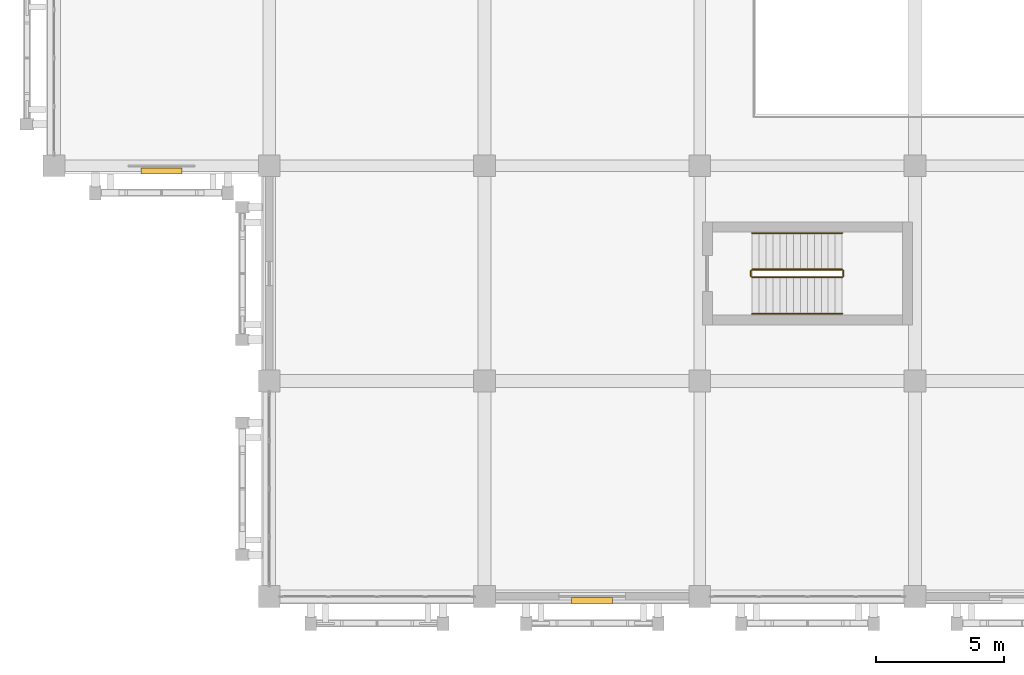
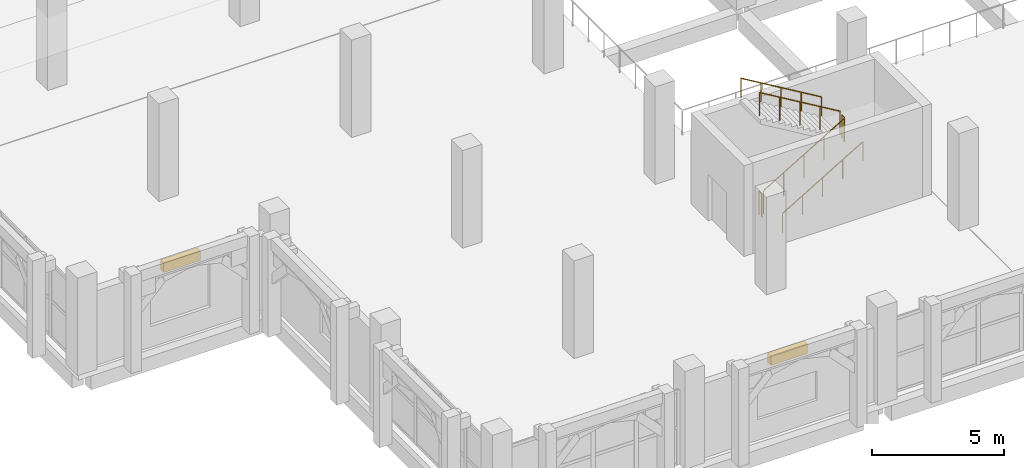
# One storey, part 124 of 137: 6 railings, 2 shading devices.
"""IFC4 building model written with IfcOpenShell, lengths in metres."""

from ifc_helpers import new_model, si_unit, direction, frame, origin, origin_2d, place, context, subcontext, project, spatial, rectangle, circle, extrude, material, layer, layer_set, type_object, element, save


model = new_model("IFC4")

# Units and contexts
model_context = context("Model", 3, precision=1e-05, world=origin(), true_north=direction((0.0, 1.0)))
body_context = subcontext(model_context, "Body", "Model", "MODEL_VIEW")
ifc_project = project(units=[si_unit("LENGTHUNIT", "METRE"), si_unit("AREAUNIT", "SQUARE_METRE"), si_unit("VOLUMEUNIT", "CUBIC_METRE"), si_unit("PLANEANGLEUNIT", "RADIAN"), si_unit("MASSUNIT", "GRAM", prefix="KILO")], contexts=[model_context])

# Site, building, storey
site_placement = place(None, origin())
site = spatial("IfcSite", under=ifc_project, at=site_placement, CompositionType="ELEMENT")
building_placement = place(site_placement, origin())
building = spatial("IfcBuilding", under=site, at=building_placement, Name="Xazarin Passage Department Store", CompositionType="ELEMENT")
storey_placement = place(building_placement, frame((0.0, 0.0, 5.39990234375)))
storey = spatial("IfcBuildingStorey", under=building, at=storey_placement, Name="L01", CompositionType="ELEMENT", Elevation=5.39990234375)

# Railings
ifc_material_1 = material(Name="Steel S355", Category="steel")
railing_type_1 = type_object("IfcRailingType", Name="ARC-RL-GRD112", PredefinedType="GUARDRAIL", material=ifc_material_1)
railing_1_placement = place(storey_placement, frame((27.239990234375, 12.449951171875, 0.160888671875)))
element("IfcRailing", 1, at=railing_1_placement, inside=storey, type_object=railing_type_1, Name="L01 ST8 stair guard 1", PredefinedType="GUARDRAIL", context=body_context, shape_type="SweptSolid", body=[
    extrude(circle(Radius=0.02392578125, at=origin_2d()), frame((0.0, 0.0, 1.076171875), z_axis=(0.859312273368, 0.0, 0.511451284914), x_axis=(0.0, 1.0, 0.0)), (0.0, 0.0, 1.0), 4.084716796875),
    extrude(circle(Radius=0.02099609375, at=origin_2d()), origin(), (0.0, 0.0, 1.0), 1.0517578125),
    extrude(circle(Radius=0.02099609375, at=origin_2d()), frame((0.87744140625, 0.0, 0.522216796875)), (0.0, 0.0, 1.0), 1.0517578125),
    extrude(circle(Radius=0.02099609375, at=origin_2d()), frame((1.7548828125, 0.0, 1.04443359375)), (0.0, 0.0, 1.0), 1.0517578125),
    extrude(circle(Radius=0.02099609375, at=origin_2d()), frame((2.632568359375, 0.0, 1.56689453125)), (0.0, 0.0, 1.0), 1.0517578125),
    extrude(circle(Radius=0.02099609375, at=origin_2d()), frame((3.510009765625, 0.0, 2.089111328125)), (0.0, 0.0, 1.0), 1.0517578125),
])
railing_2_placement = place(storey_placement, frame((30.800048828125, 12.5, 2.25)))
element("IfcRailing", 2, at=railing_2_placement, inside=storey, type_object=railing_type_1, Name="L01 ST8 stair guard 2", PredefinedType="GUARDRAIL", context=body_context, shape_type="SweptSolid", body=[
    extrude(circle(Radius=0.02392578125, at=origin_2d()), frame((0.0, 0.0, 1.076171875), z_axis=(0.0, 1.0, 0.0), x_axis=(-1.0, 0.0, 0.0)), (0.0, 0.0, 1.0), 0.199951171875),
    extrude(circle(Radius=0.02099609375, at=origin_2d()), origin(), (0.0, 0.0, 1.0), 1.0517578125),
    extrude(circle(Radius=0.02099609375, at=origin_2d()), frame((0.0, 0.199951171875, 0.0)), (0.0, 0.0, 1.0), 1.0517578125),
])
railing_3_placement = place(storey_placement, frame((30.75, 12.75, 2.410888671875)))
element("IfcRailing", 3, at=railing_3_placement, inside=storey, type_object=railing_type_1, Name="L01 ST8 stair guard 3", PredefinedType="GUARDRAIL", context=body_context, shape_type="SweptSolid", body=[
    extrude(circle(Radius=0.02392578125, at=origin_2d()), frame((0.0, 0.0, 1.076171875), z_axis=(-0.859312273368, 0.0, 0.511451284914), x_axis=(0.0, -1.0, 0.0)), (0.0, 0.0, 1.0), 4.084716796875),
    extrude(circle(Radius=0.02099609375, at=origin_2d()), origin(), (0.0, 0.0, 1.0), 1.0517578125),
    extrude(circle(Radius=0.02099609375, at=origin_2d()), frame((-0.87744140625, 0.0, 0.522216796875)), (0.0, 0.0, 1.0), 1.0517578125),
    extrude(circle(Radius=0.02099609375, at=origin_2d()), frame((-1.7548828125, 0.0, 1.04443359375)), (0.0, 0.0, 1.0), 1.0517578125),
    extrude(circle(Radius=0.02099609375, at=origin_2d()), frame((-2.632568359375, 0.0, 1.56689453125)), (0.0, 0.0, 1.0), 1.0517578125),
    extrude(circle(Radius=0.02099609375, at=origin_2d()), frame((-3.510009765625, 0.0, 2.089111328125)), (0.0, 0.0, 1.0), 1.0517578125),
])
railing_4_placement = place(storey_placement, frame((27.18994140625, 12.5, 0.0)))
element("IfcRailing", 4, at=railing_4_placement, inside=storey, type_object=railing_type_1, Name="L01 ST8 stair guard 4", PredefinedType="GUARDRAIL", context=body_context, shape_type="SweptSolid", body=[
    extrude(circle(Radius=0.02392578125, at=origin_2d()), frame((0.0, 0.0, 1.076171875), z_axis=(0.0, 1.0, 0.0), x_axis=(-1.0, 0.0, 0.0)), (0.0, 0.0, 1.0), 0.199951171875),
    extrude(circle(Radius=0.02099609375, at=origin_2d()), origin(), (0.0, 0.0, 1.0), 1.0517578125),
    extrude(circle(Radius=0.02099609375, at=origin_2d()), frame((0.0, 0.199951171875, 0.0)), (0.0, 0.0, 1.0), 1.0517578125),
])
railing_type_2 = type_object("IfcRailingType", Name="ARC-RL-HND090", PredefinedType="HANDRAIL", material=ifc_material_1)
railing_5_placement = place(storey_placement, frame((27.239990234375, 11.030029296875, 0.160888671875)))
element("IfcRailing", 5, at=railing_5_placement, inside=storey, type_object=railing_type_2, Name="L01 ST8 stair handrail 1", PredefinedType="HANDRAIL", context=body_context, shape_type="SweptSolid", body=[
    extrude(circle(Radius=0.02392578125, at=origin_2d()), frame((0.0, 0.0, 0.8759765625), z_axis=(0.859312273368, 0.0, 0.511451284914), x_axis=(0.0, 1.0, 0.0)), (0.0, 0.0, 1.0), 4.084716796875),
    extrude(circle(Radius=0.02099609375, at=origin_2d()), origin(), (0.0, 0.0, 1.0), 0.8515625),
    extrude(circle(Radius=0.02099609375, at=origin_2d()), frame((0.87744140625, 0.0, 0.522216796875)), (0.0, 0.0, 1.0), 0.8515625),
    extrude(circle(Radius=0.02099609375, at=origin_2d()), frame((1.7548828125, 0.0, 1.04443359375)), (0.0, 0.0, 1.0), 0.8515625),
    extrude(circle(Radius=0.02099609375, at=origin_2d()), frame((2.632568359375, 0.0, 1.56689453125)), (0.0, 0.0, 1.0), 0.8515625),
    extrude(circle(Radius=0.02099609375, at=origin_2d()), frame((3.510009765625, 0.0, 2.089111328125)), (0.0, 0.0, 1.0), 0.8515625),
])
railing_6_placement = place(storey_placement, frame((30.75, 14.169921875, 2.410888671875)))
element("IfcRailing", 6, at=railing_6_placement, inside=storey, type_object=railing_type_2, Name="L01 ST8 stair handrail 2", PredefinedType="HANDRAIL", context=body_context, shape_type="SweptSolid", body=[
    extrude(circle(Radius=0.02392578125, at=origin_2d()), frame((0.0, 0.0, 0.8759765625), z_axis=(-0.859312273368, 0.0, 0.511451284914), x_axis=(0.0, -1.0, 0.0)), (0.0, 0.0, 1.0), 4.084716796875),
    extrude(circle(Radius=0.02099609375, at=origin_2d()), origin(), (0.0, 0.0, 1.0), 0.8515625),
    extrude(circle(Radius=0.02099609375, at=origin_2d()), frame((-0.87744140625, 0.0, 0.522216796875)), (0.0, 0.0, 1.0), 0.8515625),
    extrude(circle(Radius=0.02099609375, at=origin_2d()), frame((-1.7548828125, 0.0, 1.04443359375)), (0.0, 0.0, 1.0), 0.8515625),
    extrude(circle(Radius=0.02099609375, at=origin_2d()), frame((-2.632568359375, 0.0, 1.56689453125)), (0.0, 0.0, 1.0), 0.8515625),
    extrude(circle(Radius=0.02099609375, at=origin_2d()), frame((-3.510009765625, 0.0, 2.089111328125)), (0.0, 0.0, 1.0), 0.8515625),
])

# Shading devices
ifc_material_2 = material(Name="Bronze anodised aluminium", Category="aluminium")
ifc_layer = layer(ifc_material_2, 0.080078125)
ifc_layer_set = layer_set([ifc_layer], Name="Bronze anodised aluminium")
shading_device_type = type_object("IfcShadingDeviceType", Name="ARC-SHD-LVR", PredefinedType="JALOUSIE", material=ifc_layer_set)
for number, where, z_axis, x_axis, name in (
    (7, (21.0, -0.169921875, 3.35498046875), (0.0, 0.0, 1.0), (1.0, 0.0, 0.0), "L01 V3 Sun Shading Louvre 11"),
    (8, (4.199951171875, 16.60009765625, 3.35498046875), (0.0, 0.0, 1.0), (1.0, 0.0, 0.0), "L01 V3 Sun Shading Louvre 14"),
):
    element("IfcShadingDevice", number, at=place(storey_placement, frame(where, z_axis=z_axis, x_axis=x_axis)), inside=storey, type_object=shading_device_type, Name=name, PredefinedType="JALOUSIE", context=body_context, shape_type="SweptSolid", body=[
        extrude(rectangle(XDim=1.60009765625, YDim=0.239990234375, at=origin_2d()), origin(), (0.0, 0.0, 1.0), 0.449951171875),
    ])

save(model, "model.ifc")
